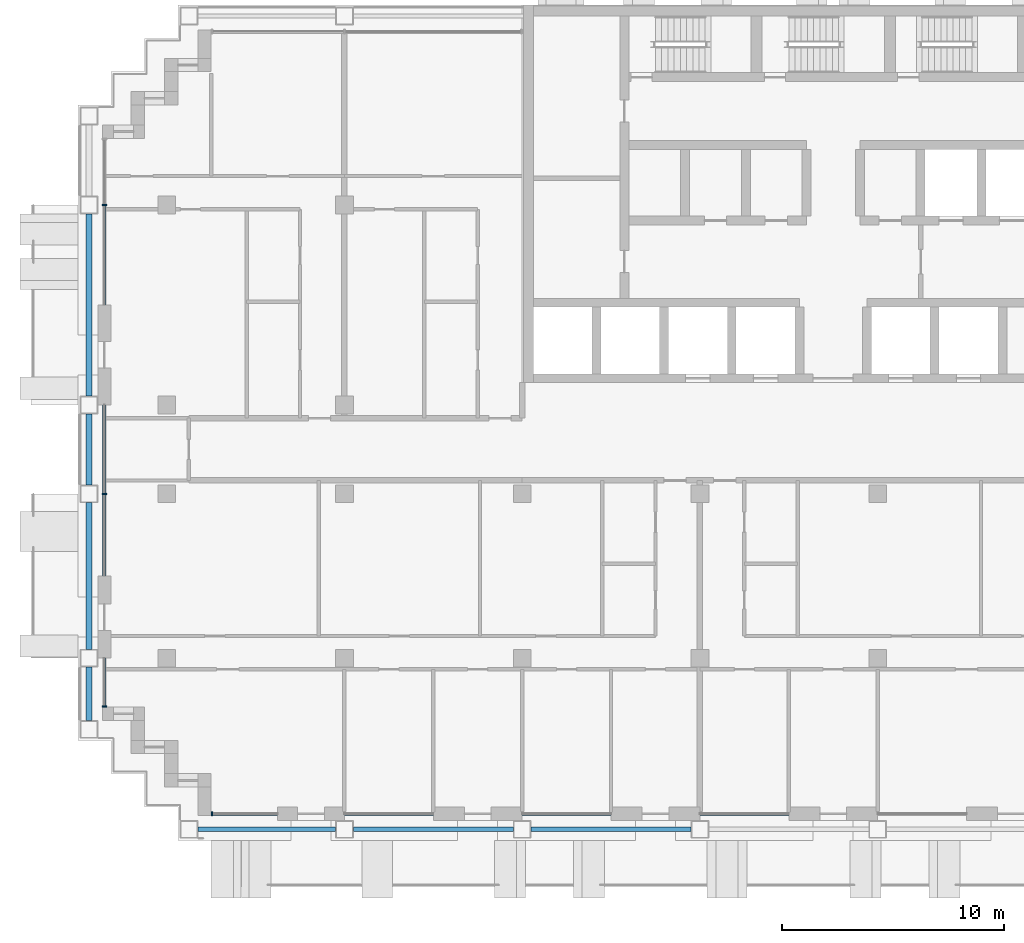
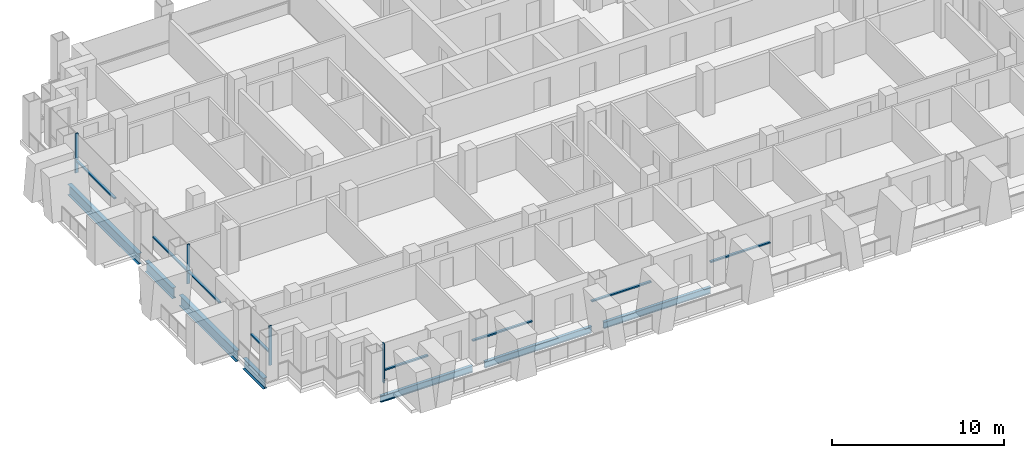
# One storey, part 2 of 17: 12 members, 7 beams, 7 elements without a shape of their own.
"""IFC4 building model written with IfcOpenShell, lengths in metres."""

import ifcopenshell
import ifcopenshell.guid

model = None  # the IFC model being written
_history = None  # IfcOwnerHistory: only IFC2X3 demands one
_inside = {}  # id of a spatial element -> (the spatial element, [elements in it])
_under = {}  # id of a project, library or spatial element -> (it, [spatial elements below it])
_declared = {}  # id of a project -> (the project, [libraries it declares])
_typed = {}  # id of a type object -> (the type object, [elements of that type])
_made_of = {}  # id of a material, layer set ... -> (it, [elements and type objects made of it])


def new_model(schema):
    """Start an empty IFC model of exactly this schema.

    Asked for "IFC4X3", IfcOpenShell would pick the latest addendum, in which some entities
    have other attributes; the version numbers below select the first issue.
    IFC2X3 requires an IfcOwnerHistory on every rooted entity: one is made here for all.
    """
    global model, _history
    if schema == "IFC4X3":
        model = ifcopenshell.file(schema_version=(4, 3, 0, 0))
    else:
        model = ifcopenshell.file(schema=schema)
    _inside.clear()
    _under.clear()
    _declared.clear()
    _typed.clear()
    _made_of.clear()
    _history = None
    if model.schema == "IFC2X3":
        org = make("IfcOrganization", Name="unknown")
        user = make(
            "IfcPersonAndOrganization",
            ThePerson=make("IfcPerson", FamilyName="unknown"),
            TheOrganization=org,
        )
        app = make(
            "IfcApplication",
            ApplicationDeveloper=org,
            Version="unknown",
            ApplicationFullName="unknown",
            ApplicationIdentifier="unknown",
        )
        _history = make(
            "IfcOwnerHistory",
            OwningUser=user,
            OwningApplication=app,
            ChangeAction="ADDED",
            CreationDate=0,
        )
    return model


def make(cls, **values):
    """One entity of the class cls with the attributes given. An attribute that is None is left unset."""
    return model.create_entity(
        cls, **{name: value for name, value in values.items() if value is not None}
    )


def rooted(cls, **values):
    """An entity with a GlobalId (a new one), such as an element, a storey or a relation."""
    return make(cls, GlobalId=ifcopenshell.guid.new(), OwnerHistory=_history, **values)


def si_unit(unit_type, name, prefix=None):
    """IfcSIUnit, for example si_unit("LENGTHUNIT", "METRE", prefix="MILLI")."""
    return make("IfcSIUnit", UnitType=unit_type, Prefix=prefix, Name=name)


def assignment(units):
    """IfcUnitAssignment: the units of a project."""
    return None if units is None else make("IfcUnitAssignment", Units=units)


def point(xyz):
    """IfcCartesianPoint."""
    return None if xyz is None else make("IfcCartesianPoint", Coordinates=xyz)


def direction(xyz):
    """IfcDirection."""
    return None if xyz is None else make("IfcDirection", DirectionRatios=xyz)


def frame(location, z_axis=None, x_axis=None):
    """IfcAxis2Placement3D, a coordinate frame: its origin and axes. An axis left out is left unset."""
    return make(
        "IfcAxis2Placement3D",
        Location=point(location),
        Axis=direction(z_axis),
        RefDirection=direction(x_axis),
    )


def frame_2d(location, x_axis=None):
    """IfcAxis2Placement2D, a coordinate frame in the plane: its origin and x axis."""
    return make(
        "IfcAxis2Placement2D", Location=point(location), RefDirection=direction(x_axis)
    )


def origin():
    """The frame at (0, 0, 0) with its axes left unset."""
    return frame((0.0, 0.0, 0.0))


def origin_2d():
    """The frame at (0, 0) in the plane with its x axis left unset."""
    return frame_2d((0.0, 0.0))


def place(relative_to, where):
    """IfcLocalPlacement: puts the frame where relative to a parent placement (None: the world)."""
    return make(
        "IfcLocalPlacement", PlacementRelTo=relative_to, RelativePlacement=where
    )


def context(
    kind, dimensions, precision=None, world=None, true_north=None, identifier=None
):
    """IfcGeometricRepresentationContext, for example the 3D "Model" context."""
    return make(
        "IfcGeometricRepresentationContext",
        ContextIdentifier=identifier,
        ContextType=kind,
        CoordinateSpaceDimension=dimensions,
        Precision=precision,
        WorldCoordinateSystem=world,
        TrueNorth=true_north,
    )


def subcontext(parent, identifier, kind, view, scale=None):
    """IfcGeometricRepresentationSubContext, for example "Body" below "Model"."""
    return make(
        "IfcGeometricRepresentationSubContext",
        ContextIdentifier=identifier,
        ContextType=kind,
        ParentContext=parent,
        TargetScale=scale,
        TargetView=view,
    )


def project(units=None, contexts=None):
    """IfcProject with its units and contexts."""
    return rooted(
        "IfcProject",
        Name="project",
        RepresentationContexts=contexts,
        UnitsInContext=assignment(units),
    )


def spatial(cls, under=None, at=None, **own):
    """A site, building, storey or space (cls), placed at a placement, below another one or the project."""
    s = rooted(cls, ObjectPlacement=at, **own)
    if under is not None:
        _under.setdefault(under.id(), (under, []))[1].append(s)
    return s


def profile(cls, at=None, kind="AREA", **sizes):
    """A parametric profile (cls). Its sizes go by their IFC names, for example OverallWidth=200.0."""
    return make(cls, ProfileType=kind, Position=at, **sizes)


def rectangle(**sizes):
    """IfcRectangleProfileDef."""
    return profile("IfcRectangleProfileDef", **sizes)


def i_section(**sizes):
    """IfcIShapeProfileDef."""
    return profile("IfcIShapeProfileDef", **sizes)


def extrude(swept, where, along, depth):
    """IfcExtrudedAreaSolid: the profile swept, set in the frame where, extruded along a direction by depth."""
    return make(
        "IfcExtrudedAreaSolid",
        SweptArea=swept,
        Position=where,
        ExtrudedDirection=direction(along),
        Depth=depth,
    )


def shape(context_of_items, identifier, shape_type, items):
    """IfcShapeRepresentation: the items that make up one representation, for example the "Body"."""
    return make(
        "IfcShapeRepresentation",
        ContextOfItems=context_of_items,
        RepresentationIdentifier=identifier,
        RepresentationType=shape_type,
        Items=items,
    )


def material(Name=None, Category=None):
    """IfcMaterial."""
    return make("IfcMaterial", Name=Name, Category=Category)


def material_profile(
    of_material, cross_section, Name=None, Category=None, Priority=None
):
    """IfcMaterialProfile: a cross section and its material."""
    return make(
        "IfcMaterialProfile",
        Name=Name,
        Material=of_material,
        Profile=cross_section,
        Priority=Priority,
        Category=Category,
    )


def profile_set(profiles, Name=None, composite=None):
    """IfcMaterialProfileSet."""
    return make(
        "IfcMaterialProfileSet",
        Name=Name,
        MaterialProfiles=profiles,
        CompositeProfile=composite,
    )


def made_of(thing, what):
    """Note that an element or type object is made of a material, layer set ...; save() writes the relation."""
    if what is not None:
        _made_of.setdefault(what.id(), (what, []))[1].append(thing)
    return thing


def type_object(cls, material=None, **own):
    """A type object (cls), such as IfcWallType, which elements share."""
    return made_of(rooted(cls, **own), material)


def element(
    cls,
    number,
    at=None,
    inside=None,
    cuts=None,
    type_object=None,
    material=None,
    context=None,
    identifier="Body",
    shape_type=None,
    held_by="IfcProductDefinitionShape",
    body=None,
    shapes=None,
    **own,
):
    """One element of the class cls, such as IfcWall. Its Tag is "e" and its number.

    at: its placement. inside: the storey or other place that contains it. cuts: it is an
    opening in that element (IfcRelVoidsElement). A single representation is given by context,
    identifier, shape_type and body (its items); several are given by shapes. held_by: the class
    of the entity that holds the representations. save() writes the other relations.
    """
    e = rooted(cls, Tag="e%d" % number, ObjectPlacement=at, **own)
    if body is not None:
        shapes = [shape(context, identifier, shape_type, body)]
    if shapes is not None:
        e.Representation = make(held_by, Representations=shapes)
    if inside is not None:
        _inside.setdefault(inside.id(), (inside, []))[1].append(e)
    if cuts is not None:
        rooted(
            "IfcRelVoidsElement", RelatingBuildingElement=cuts, RelatedOpeningElement=e
        )
    if type_object is not None:
        _typed.setdefault(type_object.id(), (type_object, []))[1].append(e)
    return made_of(e, material)


def aggregate(whole, parts):
    """IfcRelAggregates: a whole, such as a stair, and the parts it consists of."""
    return rooted("IfcRelAggregates", RelatingObject=whole, RelatedObjects=parts)


def save(model, path):
    """Write the relations noted so far, then the file.

    IfcRelAggregates (storeys below a building ...), IfcRelContainedInSpatialStructure (elements
    in a storey), IfcRelDefinesByType, IfcRelAssociatesMaterial and IfcRelDeclares: one each for
    every whole, place, type object, material and project.
    """
    for whole, parts in _under.values():
        aggregate(whole, parts)
    for where, things in _inside.values():
        rooted(
            "IfcRelContainedInSpatialStructure",
            RelatedElements=things,
            RelatingStructure=where,
        )
    for kind, things in _typed.values():
        rooted("IfcRelDefinesByType", RelatedObjects=things, RelatingType=kind)
    for what, things in _made_of.values():
        rooted("IfcRelAssociatesMaterial", RelatedObjects=things, RelatingMaterial=what)
    for by, libraries in _declared.values():
        rooted("IfcRelDeclares", RelatingContext=by, RelatedDefinitions=libraries)
    model.write(path)


model = new_model("IFC4")

# Units and contexts
model_context = context("Model", 3, precision=1e-05, world=origin(), true_north=direction((0.0, 1.0)))
body_context = subcontext(model_context, "Body", "Model", "MODEL_VIEW")
ifc_project = project(units=[si_unit("LENGTHUNIT", "METRE"), si_unit("AREAUNIT", "SQUARE_METRE"), si_unit("VOLUMEUNIT", "CUBIC_METRE"), si_unit("PLANEANGLEUNIT", "RADIAN"), si_unit("MASSUNIT", "GRAM", prefix="KILO")], contexts=[model_context])

# Site, building, storey
site_placement = place(None, origin())
site = spatial("IfcSite", under=ifc_project, at=site_placement, CompositionType="ELEMENT")
building_placement = place(site_placement, origin())
building = spatial("IfcBuilding", under=site, at=building_placement, Name="Vidyagriha Tower", CompositionType="ELEMENT")
storey_placement = place(building_placement, frame((0.0, 0.0, 148.60009765625)))
storey = spatial("IfcBuildingStorey", under=building, at=storey_placement, Name="L39", CompositionType="ELEMENT", Elevation=148.60009765625)

# Beams
ifc_material_1 = material(Name="Steel ASTM A992 Grade 50", Category="steel")
ifc_material_profile_1 = material_profile(ifc_material_1, i_section(OverallWidth=0.2666015625, OverallDepth=0.76953125, WebThickness=0.015625, FlangeThickness=0.025390625, at=origin_2d()), Name="W30X132")
ifc_profile_set_1 = profile_set([ifc_material_profile_1], Name="Steel ASTM A992 Grade 50")
beam_type_1 = type_object("IfcBeamType", Name="Cantilever edge beam W30X132", PredefinedType="SPANDREL", material=ifc_profile_set_1)
beam_1_placement = place(storey_placement, frame((-33.5, -12.199951171875, -0.664794921875), z_axis=(0.0, 1.0, 0.0), x_axis=(-1.0, 0.0, 0.0)))
element("IfcBeam", 1, at=beam_1_placement, inside=storey, type_object=beam_type_1, Name="st-beam-L39-W09", PredefinedType="SPANDREL", context=body_context, shape_type="SweptSolid", body=[
    extrude(i_section(OverallWidth=0.2666015625, OverallDepth=0.76953125, WebThickness=0.015625, FlangeThickness=0.025390625, at=origin_2d()), origin(), (0.0, 0.0, 1.0), 2.39990234375),
])
beam_2_placement = place(storey_placement, frame((-33.5, -9.0, -0.664794921875), z_axis=(0.0, 1.0, 0.0), x_axis=(-1.0, 0.0, 0.0)))
element("IfcBeam", 2, at=beam_2_placement, inside=storey, type_object=beam_type_1, Name="st-beam-L39-W10", PredefinedType="SPANDREL", context=body_context, shape_type="SweptSolid", body=[
    extrude(i_section(OverallWidth=0.2666015625, OverallDepth=0.76953125, WebThickness=0.015625, FlangeThickness=0.025390625, at=origin_2d()), origin(), (0.0, 0.0, 1.0), 6.60009765625),
])
beam_3_placement = place(storey_placement, frame((-33.5, -1.60009765625, -0.664794921875), z_axis=(0.0, 1.0, 0.0), x_axis=(-1.0, 0.0, 0.0)))
element("IfcBeam", 3, at=beam_3_placement, inside=storey, type_object=beam_type_1, Name="st-beam-L39-W11", PredefinedType="SPANDREL", context=body_context, shape_type="SweptSolid", body=[
    extrude(i_section(OverallWidth=0.2666015625, OverallDepth=0.76953125, WebThickness=0.015625, FlangeThickness=0.025390625, at=origin_2d()), origin(), (0.0, 0.0, 1.0), 3.2001953125),
])
beam_4_placement = place(storey_placement, frame((-33.5, 2.39990234375, -0.664794921875), z_axis=(0.0, 1.0, 0.0), x_axis=(-1.0, 0.0, 0.0)))
element("IfcBeam", 4, at=beam_4_placement, inside=storey, type_object=beam_type_1, Name="st-beam-L39-W12", PredefinedType="SPANDREL", context=body_context, shape_type="SweptSolid", body=[
    extrude(i_section(OverallWidth=0.2666015625, OverallDepth=0.76953125, WebThickness=0.015625, FlangeThickness=0.025390625, at=origin_2d()), origin(), (0.0, 0.0, 1.0), 8.2001953125),
])
ifc_material_2 = material(Name="Steel ASTM A992 Grade 50", Category="steel")
ifc_material_profile_2 = material_profile(ifc_material_2, i_section(OverallWidth=0.19189453125, OverallDepth=0.46240234375, WebThickness=0.010498046875, FlangeThickness=0.017578125, at=origin_2d()), Name="W18X60")
ifc_profile_set_2 = profile_set([ifc_material_profile_2], Name="Steel ASTM A992 Grade 50")
beam_type_2 = type_object("IfcBeamType", Name="Edge beam W18X60", PredefinedType="SPANDREL", material=ifc_profile_set_2)
beam_5_placement = place(storey_placement, frame((-28.60009765625, -17.10009765625, -0.51123046875), z_axis=(1.0, 0.0, 0.0), x_axis=(0.0, 1.0, 0.0)))
element("IfcBeam", 5, at=beam_5_placement, inside=storey, type_object=beam_type_2, Name="st-beam-L39-S01", PredefinedType="SPANDREL", context=body_context, shape_type="SweptSolid", body=[
    extrude(i_section(OverallWidth=0.19189453125, OverallDepth=0.46240234375, WebThickness=0.010498046875, FlangeThickness=0.017578125, at=origin_2d()), origin(), (0.0, 0.0, 1.0), 6.2001953125),
])
for number, where, z_axis, x_axis, name in (
    (6, (-21.60009765625, -17.10009765625, -0.51123046875), (1.0, 0.0, 0.0), (0.0, 1.0, 0.0), "st-beam-L39-S02"),
    (7, (-13.60009765625, -17.10009765625, -0.51123046875), (1.0, 0.0, 0.0), (0.0, 1.0, 0.0), "st-beam-L39-S03"),
):
    element("IfcBeam", number, at=place(storey_placement, frame(where, z_axis=z_axis, x_axis=x_axis)), inside=storey, type_object=beam_type_2, Name=name, PredefinedType="SPANDREL", context=body_context, shape_type="SweptSolid", body=[
        extrude(i_section(OverallWidth=0.19189453125, OverallDepth=0.46240234375, WebThickness=0.010498046875, FlangeThickness=0.017578125, at=origin_2d()), origin(), (0.0, 0.0, 1.0), 7.2001953125),
    ])

# Curtain wall, member
ifc_material_3 = material(Name="Aluminium and glass curtain wall", Category="aluminium")
curtain_wall_type = type_object("IfcCurtainWallType", Name="Dwelling skin unitised curtain wall", PredefinedType="USERDEFINED", material=ifc_material_3)
curtain_wall_1_placement = place(storey_placement, origin())
curtain_wall_1 = element("IfcCurtainWall", 8, at=curtain_wall_1_placement, inside=storey, type_object=curtain_wall_type, Name="CW1 dwelling skin", ObjectType="UNITISED", PredefinedType="USERDEFINED")
ifc_material_4 = material(Name="Aluminium black anodised", Category="aluminium")
ifc_material_profile_3 = material_profile(ifc_material_4, rectangle(XDim=0.199951171875, YDim=0.070068359375, at=origin_2d()), Name="Mullion 70x200 black aluminium")
ifc_profile_set_3 = profile_set([ifc_material_profile_3], Name="Aluminium black anodised")
member_type_1 = type_object("IfcMemberType", Name="Mullion 70x200 black aluminium", PredefinedType="MULLION", material=ifc_profile_set_3)
member_1_placement = place(storey_placement, frame((-32.800048828125, 11.0, 0.0)))
member_1 = element("IfcMember", 9, at=member_1_placement, type_object=member_type_1, Name="CW1 mullion 2", PredefinedType="MULLION", context=body_context, shape_type="SweptSolid", body=[
    extrude(rectangle(XDim=0.199951171875, YDim=0.070068359375, at=origin_2d()), origin(), (0.0, 0.0, 1.0), 2.7998046875),
])

curtain_wall_2_placement = place(storey_placement, origin())
curtain_wall_2 = element("IfcCurtainWall", 10, at=curtain_wall_2_placement, inside=storey, type_object=curtain_wall_type, Name="CW1 dwelling skin", ObjectType="UNITISED", PredefinedType="USERDEFINED")
member_2_placement = place(storey_placement, frame((-32.800048828125, -2.0, 0.0)))
member_2 = element("IfcMember", 11, at=member_2_placement, type_object=member_type_1, Name="CW1 mullion 2", PredefinedType="MULLION", context=body_context, shape_type="SweptSolid", body=[
    extrude(rectangle(XDim=0.199951171875, YDim=0.070068359375, at=origin_2d()), origin(), (0.0, 0.0, 1.0), 2.7998046875),
])

curtain_wall_3_placement = place(storey_placement, origin())
curtain_wall_3 = element("IfcCurtainWall", 12, at=curtain_wall_3_placement, inside=storey, type_object=curtain_wall_type, Name="CW1 dwelling skin", ObjectType="UNITISED", PredefinedType="USERDEFINED")
member_3_placement = place(storey_placement, frame((-32.800048828125, -11.56494140625, 0.0)))
member_3 = element("IfcMember", 13, at=member_3_placement, type_object=member_type_1, Name="CW1 mullion 2", PredefinedType="MULLION", context=body_context, shape_type="SweptSolid", body=[
    extrude(rectangle(XDim=0.199951171875, YDim=0.070068359375, at=origin_2d()), origin(), (0.0, 0.0, 1.0), 2.7998046875),
])

curtain_wall_4_placement = place(storey_placement, origin())
curtain_wall_4 = element("IfcCurtainWall", 14, at=curtain_wall_4_placement, inside=storey, type_object=curtain_wall_type, Name="CW1 dwelling skin", ObjectType="UNITISED", PredefinedType="USERDEFINED")
member_4_placement = place(storey_placement, frame((-27.965087890625, -16.39990234375, 0.0), z_axis=(0.0, 0.0, 1.0), x_axis=(0.0, 1.0, 0.0)))
member_4 = element("IfcMember", 15, at=member_4_placement, type_object=member_type_1, Name="CW1 mullion 1", PredefinedType="MULLION", context=body_context, shape_type="SweptSolid", body=[
    extrude(rectangle(XDim=0.199951171875, YDim=0.070068359375, at=origin_2d()), origin(), (0.0, 0.0, 1.0), 2.7998046875),
])

# Member
ifc_material_5 = material(Name="Aluminium black anodised", Category="aluminium")
ifc_material_profile_4 = material_profile(ifc_material_5, rectangle(XDim=0.159912109375, YDim=0.10009765625, at=origin_2d()), Name="Transom 100x160 black aluminium")
ifc_profile_set_4 = profile_set([ifc_material_profile_4], Name="Aluminium black anodised")
member_type_2 = type_object("IfcMemberType", Name="Transom 100x160 black aluminium", PredefinedType="USERDEFINED", material=ifc_profile_set_4)
member_5_placement = place(storey_placement, frame((-32.800048828125, 10.965087890625, 0.89990234375), z_axis=(0.0, -1.0, 0.0), x_axis=(1.0, 0.0, 0.0)))
member_5 = element("IfcMember", 16, at=member_5_placement, type_object=member_type_2, Name="CW1 transom 2.1", ObjectType="TRANSOM", PredefinedType="USERDEFINED", context=body_context, shape_type="SweptSolid", body=[
    extrude(rectangle(XDim=0.159912109375, YDim=0.10009765625, at=origin_2d()), origin(), (0.0, 0.0, 1.0), 4.465087890625),
])

aggregate(curtain_wall_1, [member_1, member_5])

member_6_placement = place(storey_placement, frame((-32.800048828125, 2.0, 0.89990234375), z_axis=(0.0, -1.0, 0.0), x_axis=(1.0, 0.0, 0.0)))
member_6 = element("IfcMember", 17, at=member_6_placement, type_object=member_type_2, Name="CW1 transom 1.1", ObjectType="TRANSOM", PredefinedType="USERDEFINED", context=body_context, shape_type="SweptSolid", body=[
    extrude(rectangle(XDim=0.159912109375, YDim=0.10009765625, at=origin_2d()), origin(), (0.0, 0.0, 1.0), 3.965087890625),
])

member_7_placement = place(storey_placement, frame((-32.800048828125, -2.034912109375, 0.89990234375), z_axis=(0.0, -1.0, 0.0), x_axis=(1.0, 0.0, 0.0)))
member_7 = element("IfcMember", 18, at=member_7_placement, type_object=member_type_2, Name="CW1 transom 2.1", ObjectType="TRANSOM", PredefinedType="USERDEFINED", context=body_context, shape_type="SweptSolid", body=[
    extrude(rectangle(XDim=0.159912109375, YDim=0.10009765625, at=origin_2d()), origin(), (0.0, 0.0, 1.0), 3.6650390625),
])

aggregate(curtain_wall_2, [member_2, member_6, member_7])

member_8_placement = place(storey_placement, frame((-32.800048828125, -9.39990234375, 0.89990234375), z_axis=(0.0, -1.0, 0.0), x_axis=(1.0, 0.0, 0.0)))
member_8 = element("IfcMember", 19, at=member_8_placement, type_object=member_type_2, Name="CW1 transom 1.1", ObjectType="TRANSOM", PredefinedType="USERDEFINED", context=body_context, shape_type="SweptSolid", body=[
    extrude(rectangle(XDim=0.159912109375, YDim=0.10009765625, at=origin_2d()), origin(), (0.0, 0.0, 1.0), 2.130126953125),
])

aggregate(curtain_wall_3, [member_3, member_8])

member_9_placement = place(storey_placement, frame((-27.929931640625, -16.39990234375, 0.89990234375), z_axis=(1.0, 0.0, 0.0), x_axis=(0.0, 1.0, 0.0)))
member_9 = element("IfcMember", 20, at=member_9_placement, type_object=member_type_2, Name="CW1 transom 1.1", ObjectType="TRANSOM", PredefinedType="USERDEFINED", context=body_context, shape_type="SweptSolid", body=[
    extrude(rectangle(XDim=0.159912109375, YDim=0.10009765625, at=origin_2d()), origin(), (0.0, 0.0, 1.0), 2.929931640625),
])

aggregate(curtain_wall_4, [member_4, member_9])

# Curtain wall, member
curtain_wall_5_placement = place(storey_placement, origin())
curtain_wall_5 = element("IfcCurtainWall", 21, at=curtain_wall_5_placement, inside=storey, type_object=curtain_wall_type, Name="CW1 dwelling skin", ObjectType="UNITISED", PredefinedType="USERDEFINED")
member_10_placement = place(storey_placement, frame((-22.0, -16.39990234375, 0.89990234375), z_axis=(1.0, 0.0, 0.0), x_axis=(0.0, 1.0, 0.0)))
member_10 = element("IfcMember", 22, at=member_10_placement, type_object=member_type_2, Name="CW1 transom 1.1", ObjectType="TRANSOM", PredefinedType="USERDEFINED", context=body_context, shape_type="SweptSolid", body=[
    extrude(rectangle(XDim=0.159912109375, YDim=0.10009765625, at=origin_2d()), origin(), (0.0, 0.0, 1.0), 4.0),
])
aggregate(curtain_wall_5, [member_10])

curtain_wall_6_placement = place(storey_placement, origin())
curtain_wall_6 = element("IfcCurtainWall", 23, at=curtain_wall_6_placement, inside=storey, type_object=curtain_wall_type, Name="CW1 dwelling skin", ObjectType="UNITISED", PredefinedType="USERDEFINED")
member_11_placement = place(storey_placement, frame((-14.0, -16.39990234375, 0.89990234375), z_axis=(1.0, 0.0, 0.0), x_axis=(0.0, 1.0, 0.0)))
member_11 = element("IfcMember", 24, at=member_11_placement, type_object=member_type_2, Name="CW1 transom 1.1", ObjectType="TRANSOM", PredefinedType="USERDEFINED", context=body_context, shape_type="SweptSolid", body=[
    extrude(rectangle(XDim=0.159912109375, YDim=0.10009765625, at=origin_2d()), origin(), (0.0, 0.0, 1.0), 4.0),
])
aggregate(curtain_wall_6, [member_11])

curtain_wall_7_placement = place(storey_placement, origin())
curtain_wall_7 = element("IfcCurtainWall", 25, at=curtain_wall_7_placement, inside=storey, type_object=curtain_wall_type, Name="CW1 dwelling skin", ObjectType="UNITISED", PredefinedType="USERDEFINED")
member_12_placement = place(storey_placement, frame((-6.0, -16.39990234375, 0.89990234375), z_axis=(1.0, 0.0, 0.0), x_axis=(0.0, 1.0, 0.0)))
member_12 = element("IfcMember", 26, at=member_12_placement, type_object=member_type_2, Name="CW1 transom 1.1", ObjectType="TRANSOM", PredefinedType="USERDEFINED", context=body_context, shape_type="SweptSolid", body=[
    extrude(rectangle(XDim=0.159912109375, YDim=0.10009765625, at=origin_2d()), origin(), (0.0, 0.0, 1.0), 4.0),
])
aggregate(curtain_wall_7, [member_12])

save(model, "model.ifc")
